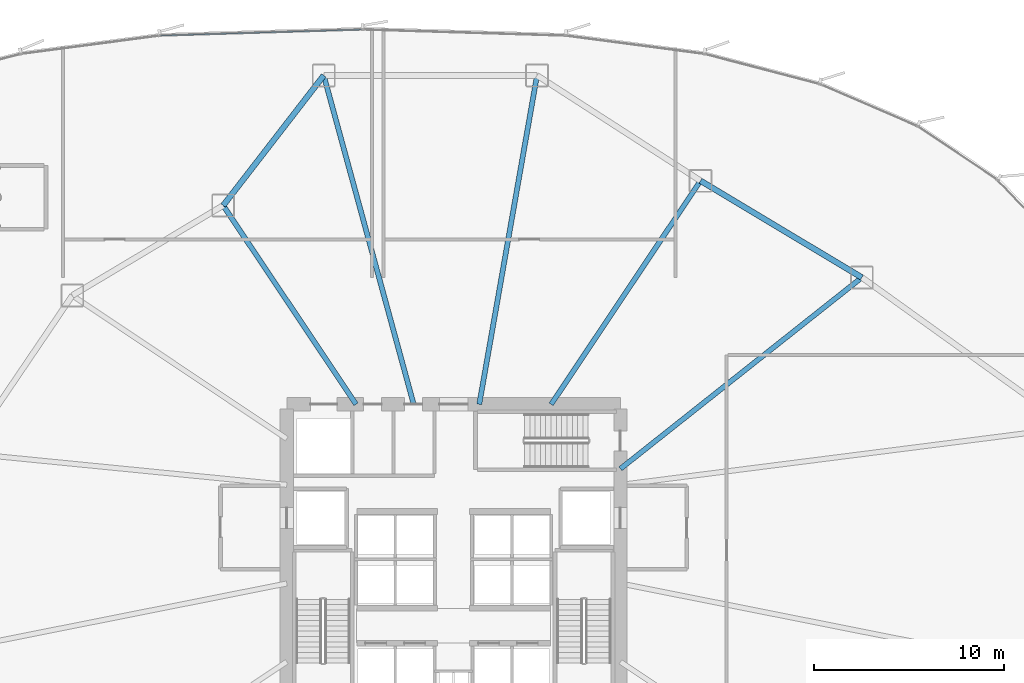
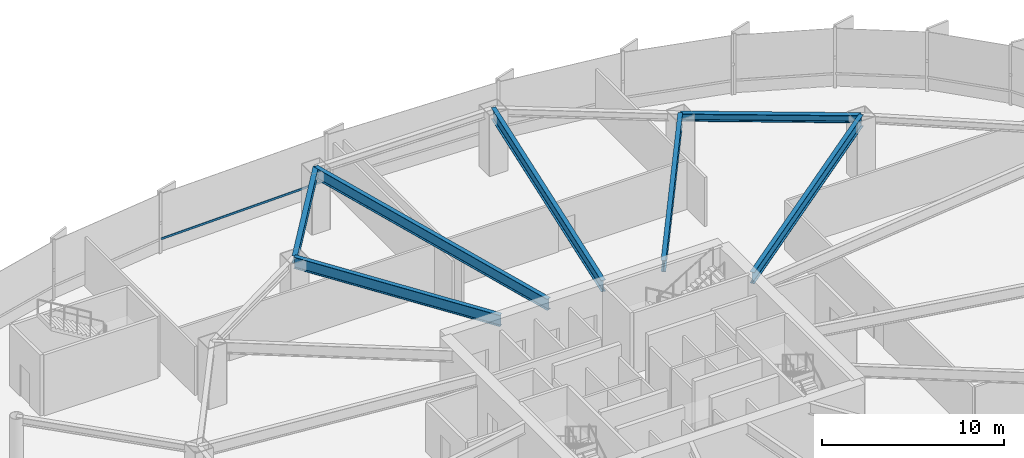
# One storey, part 13 of 34: 7 beams, 1 member, 1 element without a shape of its own.
"""IFC4 building model written with IfcOpenShell, lengths in metres."""

from ifc_helpers import new_model, si_unit, direction, frame, origin, origin_2d, place, context, subcontext, project, spatial, hollow_rectangle, i_section, extrude, source, transform, mapped, material, layer, layer_set, material_profile, profile_set, type_object, element, aggregate, save


model = new_model("IFC4")

# Units and contexts
model_context = context("Model", 3, precision=1e-05, world=origin(), true_north=direction((0.0, 1.0)))
body_context = subcontext(model_context, "Body", "Model", "MODEL_VIEW")
ifc_project = project(units=[si_unit("LENGTHUNIT", "METRE"), si_unit("AREAUNIT", "SQUARE_METRE"), si_unit("VOLUMEUNIT", "CUBIC_METRE"), si_unit("PLANEANGLEUNIT", "RADIAN"), si_unit("MASSUNIT", "GRAM", prefix="KILO"), si_unit("THERMODYNAMICTEMPERATUREUNIT", "KELVIN")], contexts=[model_context])

# Site, building, storey
site_placement = place(None, origin())
site = spatial("IfcSite", under=ifc_project, at=site_placement, CompositionType="ELEMENT")
building_placement = place(site_placement, origin())
building = spatial("IfcBuilding", under=site, at=building_placement, Name="Kethvar Cultural Tower", CompositionType="ELEMENT")
storey_placement = place(building_placement, frame((0.0, 0.0, 19.60009765625)))
storey = spatial("IfcBuildingStorey", under=building, at=storey_placement, Name="L04", CompositionType="ELEMENT", Elevation=19.60009765625)

# Beams
ifc_material_1 = material(Name="Steel S355J2", Category="steel")
ifc_material_profile_1 = material_profile(ifc_material_1, i_section(OverallWidth=0.300048828125, OverallDepth=0.5, WebThickness=0.014404296875, FlangeThickness=0.028076171875, FilletRadius=0.027099609375, at=origin_2d()), Name="Steel S355J2 — HEB500")
ifc_profile_set_1 = profile_set([ifc_material_profile_1], Name="Steel S355J2 — HEB500")
beam_type_1 = type_object("IfcBeamType", Name="BM-SP500", PredefinedType="SPANDREL", material=ifc_profile_set_1)
shared_shape_1 = source(origin(), body_context, "Body", "SweptSolid", [
    extrude(i_section(OverallWidth=0.300048828125, OverallDepth=0.5, WebThickness=0.014404296875, FlangeThickness=0.028076171875, FilletRadius=0.027099609375, at=origin_2d()), origin(), (0.0, 0.0, 1.0), 9.924072265625),
])
beam_1_placement = place(storey_placement, frame((68.33642578125, 42.190185546875, 3.827880859375), z_axis=(-0.857664361463, 0.514209921215, 0.0), x_axis=(-0.514209921215, -0.857664361463, 0.0)))
element("IfcBeam", 1, at=beam_1_placement, inside=storey, type_object=beam_type_1, Name="L04 Podium Ring Beam 02", PredefinedType="SPANDREL", context=body_context, shape_type="MappedRepresentation", body=[
    mapped(shared_shape_1, transform((0.0, 0.0, 0.0), scale=1.0)),
])
shared_shape_2 = source(origin(), body_context, "Body", "SweptSolid", [
    extrude(i_section(OverallWidth=0.300048828125, OverallDepth=0.5, WebThickness=0.014404296875, FlangeThickness=0.028076171875, FilletRadius=0.027099609375, at=origin_2d()), origin(), (0.0, 0.0, 1.0), 8.671630859375),
])
beam_2_placement = place(storey_placement, frame((39.949951171875, 52.85009765625, 3.827880859375), z_axis=(-0.611647801721, -0.791130183124, 0.0), x_axis=(0.791130183124, -0.611647801721, 0.0)))
element("IfcBeam", 2, at=beam_2_placement, inside=storey, type_object=beam_type_1, Name="L04 Podium Ring Beam 05", PredefinedType="SPANDREL", context=body_context, shape_type="MappedRepresentation", body=[
    mapped(shared_shape_2, transform((0.0, 0.0, 0.0), scale=1.0)),
])
ifc_material_profile_2 = material_profile(ifc_material_1, i_section(OverallWidth=0.26708984375, OverallDepth=0.761962890625, WebThickness=0.014404296875, FlangeThickness=0.021484375, FilletRadius=0.01708984375, at=origin_2d()), Name="Steel S355J2 — IPE750x173")
ifc_profile_set_2 = profile_set([ifc_material_profile_2], Name="Steel S355J2 — IPE750x173")
beam_type_2 = type_object("IfcBeamType", Name="BM-IPE750", PredefinedType="BEAM", material=ifc_profile_set_2)
shared_shape_3 = source(origin(), body_context, "Body", "SweptSolid", [
    extrude(i_section(OverallWidth=0.26708984375, OverallDepth=0.761962890625, WebThickness=0.014404296875, FlangeThickness=0.021484375, FilletRadius=0.01708984375, at=origin_2d()), origin(), (0.0, 0.0, 1.0), 16.248779296875),
])
beam_3_placement = place(storey_placement, frame((55.60009765625, 32.10009765625, 3.697021484375), z_axis=(0.783831288624, 0.620973840813, 0.0), x_axis=(-0.620973840813, 0.783831288624, 0.0)))
element("IfcBeam", 3, at=beam_3_placement, inside=storey, type_object=beam_type_2, Name="L04 Podium Radial Girder 02", PredefinedType="BEAM", context=body_context, shape_type="MappedRepresentation", body=[
    mapped(shared_shape_3, transform((0.0, 0.0, 0.0), scale=1.0)),
])
shared_shape_4 = source(origin(), body_context, "Body", "SweptSolid", [
    extrude(i_section(OverallWidth=0.26708984375, OverallDepth=0.761962890625, WebThickness=0.014404296875, FlangeThickness=0.021484375, FilletRadius=0.01708984375, at=origin_2d()), origin(), (0.0, 0.0, 1.0), 14.18359375),
])
beam_4_placement = place(storey_placement, frame((51.945068359375, 35.5, 3.697021484375), z_axis=(0.55556584065, 0.831472547174, 0.0), x_axis=(-0.831472547174, 0.55556584065, 0.0)))
element("IfcBeam", 4, at=beam_4_placement, inside=storey, type_object=beam_type_2, Name="L04 Podium Radial Girder 03", PredefinedType="BEAM", context=body_context, shape_type="MappedRepresentation", body=[
    mapped(shared_shape_4, transform((0.0, 0.0, 0.0), scale=1.0)),
])
shared_shape_5 = source(origin(), body_context, "Body", "SweptSolid", [
    extrude(i_section(OverallWidth=0.26708984375, OverallDepth=0.761962890625, WebThickness=0.014404296875, FlangeThickness=0.021484375, FilletRadius=0.01708984375, at=origin_2d()), origin(), (0.0, 0.0, 1.0), 17.61572265625),
])
beam_5_placement = place(storey_placement, frame((48.152587890625, 35.5, 3.697021484375), z_axis=(0.172991485085, 0.984923319903, 0.0), x_axis=(-0.984923319903, 0.172991485085, 0.0)))
element("IfcBeam", 5, at=beam_5_placement, inside=storey, type_object=beam_type_2, Name="L04 Podium Radial Girder 04", PredefinedType="BEAM", context=body_context, shape_type="MappedRepresentation", body=[
    mapped(shared_shape_5, transform((0.0, 0.0, 0.0), scale=1.0)),
])
shared_shape_6 = source(origin(), body_context, "Body", "SweptSolid", [
    extrude(i_section(OverallWidth=0.26708984375, OverallDepth=0.761962890625, WebThickness=0.014404296875, FlangeThickness=0.021484375, FilletRadius=0.01708984375, at=origin_2d()), origin(), (0.0, 0.0, 1.0), 17.987060546875),
])
beam_6_placement = place(storey_placement, frame((44.6943359375, 35.5, 3.697021484375), z_axis=(-0.26376624534, 0.964586630541, 0.0), x_axis=(-0.964586630541, -0.26376624534, 0.0)))
element("IfcBeam", 6, at=beam_6_placement, inside=storey, type_object=beam_type_2, Name="L04 Podium Radial Girder 05", PredefinedType="BEAM", context=body_context, shape_type="MappedRepresentation", body=[
    mapped(shared_shape_6, transform((0.0, 0.0, 0.0), scale=1.0)),
])
shared_shape_7 = source(origin(), body_context, "Body", "SweptSolid", [
    extrude(i_section(OverallWidth=0.26708984375, OverallDepth=0.761962890625, WebThickness=0.014404296875, FlangeThickness=0.021484375, FilletRadius=0.01708984375, at=origin_2d()), origin(), (0.0, 0.0, 1.0), 12.615966796875),
])
beam_7_placement = place(storey_placement, frame((41.655029296875, 35.5, 3.697021484375), z_axis=(-0.555570723257, 0.831469284736, 0.0), x_axis=(-0.831469284736, -0.555570723257, 0.0)))
element("IfcBeam", 7, at=beam_7_placement, inside=storey, type_object=beam_type_2, Name="L04 Podium Radial Girder 06", PredefinedType="BEAM", context=body_context, shape_type="MappedRepresentation", body=[
    mapped(shared_shape_7, transform((0.0, 0.0, 0.0), scale=1.0)),
])

# Curtain wall, member
ifc_material_2 = material(Name="Aluminium 6063-T6", Category="aluminium")
ifc_layer = layer(ifc_material_2, 0.179931640625, Name="Aluminium 6063-T6", Category="aluminium")
ifc_layer_set = layer_set([ifc_layer], Name="Aluminium 6063-T6 (180 mm)")
curtain_wall_type = type_object("IfcCurtainWallType", Name="CW-SYS-01-POD", PredefinedType="NOTDEFINED", material=ifc_layer_set)
curtain_wall_placement = place(storey_placement, origin())
curtain_wall = element("IfcCurtainWall", 8, at=curtain_wall_placement, inside=storey, type_object=curtain_wall_type, Name="L04 Curtain Wall Run 02", PredefinedType="NOTDEFINED")
ifc_material_profile_3 = material_profile(ifc_material_2, hollow_rectangle(XDim=0.06005859375, YDim=0.139892578125, WallThickness=0.0048828125, at=origin_2d()), Name="Aluminium 6063-T6 — RHS140x60x5")
ifc_profile_set_3 = profile_set([ifc_material_profile_3], Name="Aluminium 6063-T6 — RHS140x60x5")
member_type = type_object("IfcMemberType", Name="CW-SYS-01-POD-TRN", PredefinedType="USERDEFINED", material=ifc_profile_set_3)
shared_shape_8 = source(origin(), body_context, "Body", "SweptSolid", [
    extrude(hollow_rectangle(XDim=0.06005859375, YDim=0.139892578125, WallThickness=0.0048828125, at=origin_2d()), origin(), (0.0, 0.0, 1.0), 10.61279296875),
])
member_placement = place(storey_placement, frame((41.949951171875, 55.268310546875, 0.949951171875), z_axis=(-0.999545810513, -0.030135903608, 0.0), x_axis=(0.030135903608, -0.999545810513, 0.0)))
member = element("IfcMember", 9, at=member_placement, type_object=member_type, Name="CW-L04-R02 Transom 4", ObjectType="TRANSOM", PredefinedType="USERDEFINED", context=body_context, shape_type="MappedRepresentation", body=[
    mapped(shared_shape_8, transform((0.0, 0.0, 0.0), scale=1.0)),
])
aggregate(curtain_wall, [member])

save(model, "model.ifc")
